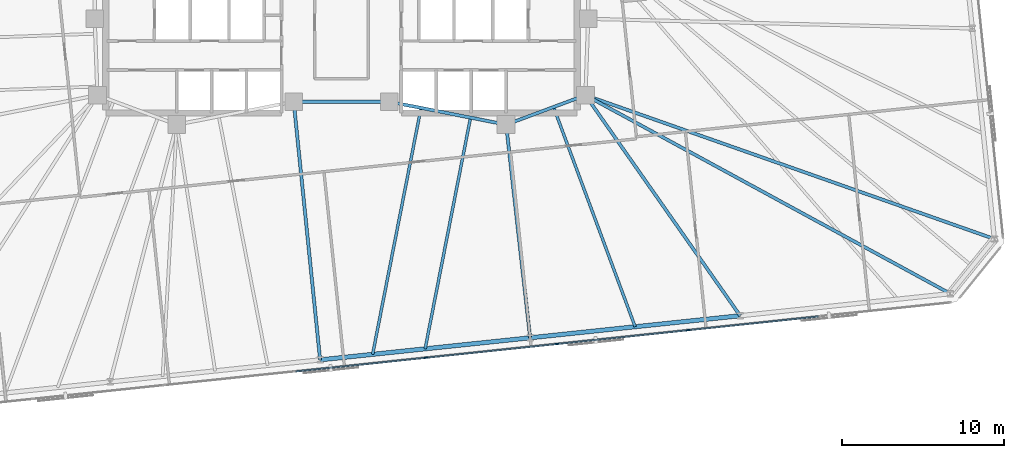
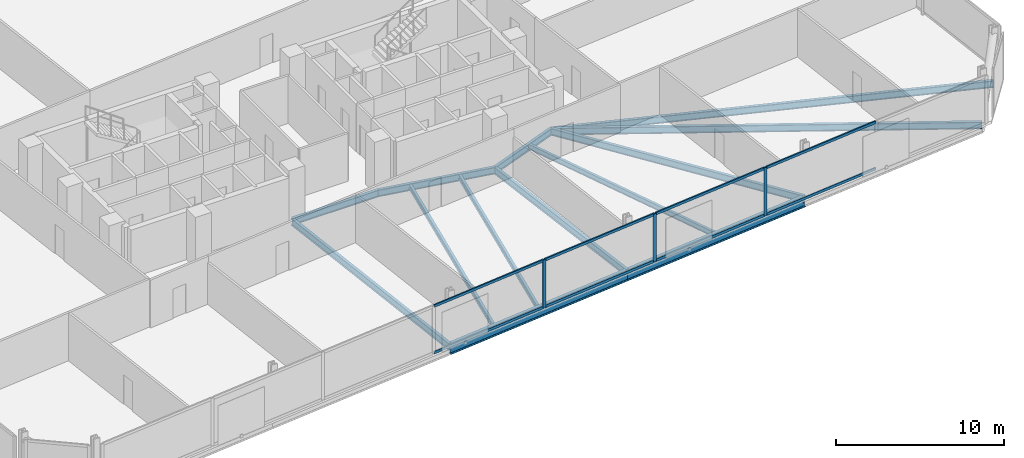
# One storey, part 7 of 18: 13 beams, 11 members, 1 element without a shape of its own.
"""IFC4 building model written with IfcOpenShell, lengths in metres."""

from ifc_helpers import new_model, si_unit, direction, frame, origin, origin_2d, place, context, subcontext, project, spatial, rectangle, i_section, extrude, material, material_profile, profile_set, type_object, element, aggregate, save


model = new_model("IFC4")

# Units and contexts
model_context = context("Model", 3, precision=1e-05, world=origin(), true_north=direction((0.0, 1.0)))
body_context = subcontext(model_context, "Body", "Model", "MODEL_VIEW")
ifc_project = project(units=[si_unit("LENGTHUNIT", "METRE"), si_unit("AREAUNIT", "SQUARE_METRE"), si_unit("VOLUMEUNIT", "CUBIC_METRE"), si_unit("PLANEANGLEUNIT", "RADIAN"), si_unit("MASSUNIT", "GRAM", prefix="KILO")], contexts=[model_context])

# Site, building, storey
site_placement = place(None, origin())
site = spatial("IfcSite", under=ifc_project, at=site_placement, CompositionType="ELEMENT")
building_placement = place(site_placement, origin())
building = spatial("IfcBuilding", under=site, at=building_placement, Name="Menara Jurai Vektor", CompositionType="ELEMENT")
storey_placement = place(building_placement, frame((0.0, 0.0, 102.199951171875)))
storey = spatial("IfcBuildingStorey", under=building, at=storey_placement, Name="L25", CompositionType="ELEMENT", Elevation=102.199951171875)

# Curtain wall, members
ifc_material_1 = material(Name="Anodised Pale Aluminium & Low-E Double Glazing", Category="aluminium")
curtain_wall_type = type_object("IfcCurtainWallType", Name="CW-BLK2", PredefinedType="NOTDEFINED", material=ifc_material_1)
curtain_wall_placement = place(storey_placement, origin())
curtain_wall = element("IfcCurtainWall", 1, at=curtain_wall_placement, inside=storey, type_object=curtain_wall_type, Name="Unitised Curtain Wall L25 F01", PredefinedType="NOTDEFINED")
ifc_material_2 = material(Name="Anodised Pale Aluminium Mullion", Category="aluminium")
ifc_material_profile_1 = material_profile(ifc_material_2, rectangle(XDim=0.090087890625, YDim=0.219970703125, at=origin_2d()), Name="ALU MUL 90x220")
ifc_profile_set_1 = profile_set([ifc_material_profile_1], Name="Anodised Pale Aluminium Mullion")
member_type_1 = type_object("IfcMemberType", Name="CW-BLK2-MUL", PredefinedType="MULLION", material=ifc_profile_set_1)
member_1_placement = place(storey_placement, frame((5.230224609375, -20.72265625, 0.0), z_axis=(0.0, 0.0, 1.0), x_axis=(-0.104528634935, 0.994521877325, 0.0)))
member_1 = element("IfcMember", 2, at=member_1_placement, type_object=member_type_1, Name="CW-02 mullion 5", PredefinedType="MULLION", context=body_context, shape_type="SweptSolid", body=[
    extrude(rectangle(XDim=0.090087890625, YDim=0.219970703125, at=origin_2d()), origin(), (0.0, 0.0, 1.0), 3.47509765625),
])
member_2_placement = place(storey_placement, frame((13.328125, -19.87158203125, 0.0), z_axis=(0.0, 0.0, 1.0), x_axis=(-0.104528634935, 0.994521877325, 0.0)))
member_2 = element("IfcMember", 3, at=member_2_placement, type_object=member_type_1, Name="CW-02 mullion 6", PredefinedType="MULLION", context=body_context, shape_type="SweptSolid", body=[
    extrude(rectangle(XDim=0.090087890625, YDim=0.219970703125, at=origin_2d()), origin(), (0.0, 0.0, 1.0), 3.47509765625),
])
member_3_placement = place(storey_placement, frame((21.426025390625, -19.020263671875, 0.0), z_axis=(0.0, 0.0, 1.0), x_axis=(-0.104528634935, 0.994521877325, 0.0)))
member_3 = element("IfcMember", 4, at=member_3_placement, type_object=member_type_1, Name="CW-02 mullion 7", PredefinedType="MULLION", context=body_context, shape_type="SweptSolid", body=[
    extrude(rectangle(XDim=0.090087890625, YDim=0.219970703125, at=origin_2d()), origin(), (0.0, 0.0, 1.0), 3.47509765625),
])
ifc_material_3 = material(Name="Anodised Pale Aluminium Transom", Category="aluminium")
ifc_material_profile_2 = material_profile(ifc_material_3, rectangle(XDim=0.090087890625, YDim=0.18505859375, at=origin_2d()), Name="ALU TRN 90x185")
ifc_profile_set_2 = profile_set([ifc_material_profile_2], Name="Anodised Pale Aluminium Transom")
member_type_2 = type_object("IfcMemberType", Name="CW-BLK2-TRN", PredefinedType="USERDEFINED", material=ifc_profile_set_2)
member_4_placement = place(storey_placement, frame((-2.82275390625, -21.569091796875, 0.045166015625), z_axis=(0.994520726373, 0.10453958492, 0.0), x_axis=(-0.10453958492, 0.994520726373, 0.0)))
member_4 = element("IfcMember", 5, at=member_4_placement, type_object=member_type_2, Name="CW-02 transom 4.1", ObjectType="TRANSOM", PredefinedType="USERDEFINED", context=body_context, shape_type="SweptSolid", body=[
    extrude(rectangle(XDim=0.090087890625, YDim=0.18505859375, at=origin_2d()), origin(), (0.0, 0.0, 1.0), 8.052490234375),
])
member_5_placement = place(storey_placement, frame((-2.82275390625, -21.569091796875, 3.429931640625), z_axis=(0.994520726373, 0.10453958492, 0.0), x_axis=(-0.10453958492, 0.994520726373, 0.0)))
member_5 = element("IfcMember", 6, at=member_5_placement, type_object=member_type_2, Name="CW-02 transom 4.2", ObjectType="TRANSOM", PredefinedType="USERDEFINED", context=body_context, shape_type="SweptSolid", body=[
    extrude(rectangle(XDim=0.090087890625, YDim=0.18505859375, at=origin_2d()), origin(), (0.0, 0.0, 1.0), 8.052490234375),
])
member_6_placement = place(storey_placement, frame((5.275146484375, -20.718017578125, 0.045166015625), z_axis=(0.994520726373, 0.10453958492, 0.0), x_axis=(-0.10453958492, 0.994520726373, 0.0)))
member_6 = element("IfcMember", 7, at=member_6_placement, type_object=member_type_2, Name="CW-02 transom 5.1", ObjectType="TRANSOM", PredefinedType="USERDEFINED", context=body_context, shape_type="SweptSolid", body=[
    extrude(rectangle(XDim=0.090087890625, YDim=0.18505859375, at=origin_2d()), origin(), (0.0, 0.0, 1.0), 8.052490234375),
])
member_7_placement = place(storey_placement, frame((5.275146484375, -20.718017578125, 3.429931640625), z_axis=(0.994520726373, 0.10453958492, 0.0), x_axis=(-0.10453958492, 0.994520726373, 0.0)))
member_7 = element("IfcMember", 8, at=member_7_placement, type_object=member_type_2, Name="CW-02 transom 5.2", ObjectType="TRANSOM", PredefinedType="USERDEFINED", context=body_context, shape_type="SweptSolid", body=[
    extrude(rectangle(XDim=0.090087890625, YDim=0.18505859375, at=origin_2d()), origin(), (0.0, 0.0, 1.0), 8.052490234375),
])
member_8_placement = place(storey_placement, frame((13.373046875, -19.86669921875, 0.045166015625), z_axis=(0.99452387809, 0.104509597213, 0.0), x_axis=(-0.104509597213, 0.99452387809, 0.0)))
member_8 = element("IfcMember", 9, at=member_8_placement, type_object=member_type_2, Name="CW-02 transom 6.1", ObjectType="TRANSOM", PredefinedType="USERDEFINED", context=body_context, shape_type="SweptSolid", body=[
    extrude(rectangle(XDim=0.090087890625, YDim=0.18505859375, at=origin_2d()), origin(), (0.0, 0.0, 1.0), 8.052490234375),
])
member_9_placement = place(storey_placement, frame((13.373046875, -19.86669921875, 3.429931640625), z_axis=(0.99452387809, 0.104509597213, 0.0), x_axis=(-0.104509597213, 0.99452387809, 0.0)))
member_9 = element("IfcMember", 10, at=member_9_placement, type_object=member_type_2, Name="CW-02 transom 6.2", ObjectType="TRANSOM", PredefinedType="USERDEFINED", context=body_context, shape_type="SweptSolid", body=[
    extrude(rectangle(XDim=0.090087890625, YDim=0.18505859375, at=origin_2d()), origin(), (0.0, 0.0, 1.0), 8.052490234375),
])
member_10_placement = place(storey_placement, frame((21.470947265625, -19.015625, 0.045166015625), z_axis=(0.994520726373, 0.10453958492, 0.0), x_axis=(-0.10453958492, 0.994520726373, 0.0)))
member_10 = element("IfcMember", 11, at=member_10_placement, type_object=member_type_2, Name="CW-02 transom 7.1", ObjectType="TRANSOM", PredefinedType="USERDEFINED", context=body_context, shape_type="SweptSolid", body=[
    extrude(rectangle(XDim=0.090087890625, YDim=0.18505859375, at=origin_2d()), origin(), (0.0, 0.0, 1.0), 8.052490234375),
])
member_11_placement = place(storey_placement, frame((21.470947265625, -19.015625, 3.429931640625), z_axis=(0.994520726373, 0.10453958492, 0.0), x_axis=(-0.10453958492, 0.994520726373, 0.0)))
member_11 = element("IfcMember", 12, at=member_11_placement, type_object=member_type_2, Name="CW-02 transom 7.2", ObjectType="TRANSOM", PredefinedType="USERDEFINED", context=body_context, shape_type="SweptSolid", body=[
    extrude(rectangle(XDim=0.090087890625, YDim=0.18505859375, at=origin_2d()), origin(), (0.0, 0.0, 1.0), 8.052490234375),
])
aggregate(curtain_wall, [member_1, member_2, member_3, member_4, member_5, member_6, member_7, member_8, member_9, member_10, member_11])

# Beams
ifc_material_4 = material(Name="Steel S355", Category="steel")
ifc_material_profile_3 = material_profile(ifc_material_4, i_section(OverallWidth=0.199951171875, OverallDepth=0.5, WebThickness=0.011962890625, FlangeThickness=0.02001953125, at=origin_2d()), Name="PG 500x200x96")
ifc_profile_set_3 = profile_set([ifc_material_profile_3], Name="Steel S355")
beam_type_1 = type_object("IfcBeamType", Name="STR-BM-500", PredefinedType="BEAM", material=ifc_profile_set_3)
beam_1_placement = place(storey_placement, frame((10.179931640625, -6.320068359375, -0.474853515625), z_axis=(0.937424400887, 0.348188874925, 0.0), x_axis=(-0.348188874925, 0.937424400887, 0.0)))
element("IfcBeam", 13, at=beam_1_placement, inside=storey, type_object=beam_type_1, Name="Core Ring Header Girder L25-CHE-S1", PredefinedType="BEAM", context=body_context, shape_type="SweptSolid", body=[
    extrude(i_section(OverallWidth=0.199951171875, OverallDepth=0.5, WebThickness=0.011962890625, FlangeThickness=0.02001953125, at=origin_2d()), origin(), (0.0, 0.0, 1.0), 5.227294921875),
])
beam_2_placement = place(storey_placement, frame((2.949951171875, -4.89990234375, -0.474853515625), z_axis=(0.981249044334, -0.192744164614, 0.0), x_axis=(0.192744164614, 0.981249044334, 0.0)))
element("IfcBeam", 14, at=beam_2_placement, inside=storey, type_object=beam_type_1, Name="Core Ring Header Girder L25-CHE-S2", PredefinedType="BEAM", context=body_context, shape_type="SweptSolid", body=[
    extrude(i_section(OverallWidth=0.199951171875, OverallDepth=0.5, WebThickness=0.011962890625, FlangeThickness=0.02001953125, at=origin_2d()), origin(), (0.0, 0.0, 1.0), 7.3681640625),
])
beam_3_placement = place(storey_placement, frame((-2.949951171875, -4.89990234375, -0.474853515625), z_axis=(1.0, 0.0, 0.0), x_axis=(0.0, 1.0, 0.0)))
element("IfcBeam", 15, at=beam_3_placement, inside=storey, type_object=beam_type_1, Name="Core Ring Header Girder L25-CC-1", PredefinedType="BEAM", context=body_context, shape_type="SweptSolid", body=[
    extrude(i_section(OverallWidth=0.199951171875, OverallDepth=0.5, WebThickness=0.011962890625, FlangeThickness=0.02001953125, at=origin_2d()), origin(), (0.0, 0.0, 1.0), 5.89990234375),
])
beam_4_placement = place(storey_placement, frame((-1.31689453125, -20.85791015625, -0.474853515625), z_axis=(-0.101802947506, 0.994804583765, 0.0), x_axis=(-0.994804583765, -0.101802947506, 0.0)))
element("IfcBeam", 16, at=beam_4_placement, inside=storey, type_object=beam_type_1, Name="Radial Floor Girder L25-S3", PredefinedType="BEAM", context=body_context, shape_type="SweptSolid", body=[
    extrude(i_section(OverallWidth=0.199951171875, OverallDepth=0.5, WebThickness=0.011962890625, FlangeThickness=0.02001953125, at=origin_2d()), origin(), (0.0, 0.0, 1.0), 16.041259765625),
])
beam_5_placement = place(storey_placement, frame((11.66259765625, -19.493408203125, -0.474853515625), z_axis=(-0.111844331087, 0.99372573963, 0.0), x_axis=(-0.99372573963, -0.111844331087, 0.0)))
element("IfcBeam", 17, at=beam_5_placement, inside=storey, type_object=beam_type_1, Name="Radial Floor Girder L25-S4", PredefinedType="BEAM", context=body_context, shape_type="SweptSolid", body=[
    extrude(i_section(OverallWidth=0.199951171875, OverallDepth=0.5, WebThickness=0.011962890625, FlangeThickness=0.02001953125, at=origin_2d()), origin(), (0.0, 0.0, 1.0), 13.256591796875),
])
beam_6_placement = place(storey_placement, frame((24.64208984375, -18.12939453125, -0.474853515625), z_axis=(-0.574326112611, 0.818626603754, 0.0), x_axis=(-0.818626603754, -0.574326112611, 0.0)))
element("IfcBeam", 18, at=beam_6_placement, inside=storey, type_object=beam_type_1, Name="Radial Floor Girder L25-S5", PredefinedType="BEAM", context=body_context, shape_type="SweptSolid", body=[
    extrude(i_section(OverallWidth=0.199951171875, OverallDepth=0.5, WebThickness=0.011962890625, FlangeThickness=0.02001953125, at=origin_2d()), origin(), (0.0, 0.0, 1.0), 16.649169921875),
])
beam_7_placement = place(storey_placement, frame((37.621826171875, -16.76513671875, -0.474853515625), z_axis=(-0.878392468416, 0.477940029115, 0.0), x_axis=(-0.477940029115, -0.878392468416, 0.0)))
element("IfcBeam", 19, at=beam_7_placement, inside=storey, type_object=beam_type_1, Name="Radial Floor Girder L25-S6", PredefinedType="BEAM", context=body_context, shape_type="SweptSolid", body=[
    extrude(i_section(OverallWidth=0.199951171875, OverallDepth=0.5, WebThickness=0.011962890625, FlangeThickness=0.02001953125, at=origin_2d()), origin(), (0.0, 0.0, 1.0), 25.66259765625),
])
beam_8_placement = place(storey_placement, frame((40.356201171875, -13.388671875, -0.474853515625), z_axis=(-0.943368219745, 0.331747497315, 0.0), x_axis=(-0.331747497315, -0.943368219745, 0.0)))
element("IfcBeam", 20, at=beam_8_placement, inside=storey, type_object=beam_type_1, Name="Radial Floor Girder L25-E1", PredefinedType="BEAM", context=body_context, shape_type="SweptSolid", body=[
    extrude(i_section(OverallWidth=0.199951171875, OverallDepth=0.5, WebThickness=0.011962890625, FlangeThickness=0.02001953125, at=origin_2d()), origin(), (0.0, 0.0, 1.0), 26.79345703125),
])
ifc_material_profile_4 = material_profile(ifc_material_4, i_section(OverallWidth=0.175048828125, OverallDepth=0.3798828125, WebThickness=0.010009765625, FlangeThickness=0.014892578125, at=origin_2d()), Name="PG 380x175x58")
ifc_profile_set_4 = profile_set([ifc_material_profile_4], Name="Steel S355")
beam_type_2 = type_object("IfcBeamType", Name="STR-JS-380", PredefinedType="JOIST", material=ifc_profile_set_4)
beam_9_placement = place(storey_placement, frame((1.927978515625, -20.5166015625, -0.4150390625), z_axis=(0.192720963177, 0.981253601447, 0.0), x_axis=(-0.981253601447, 0.192720963177, 0.0)))
element("IfcBeam", 21, at=beam_9_placement, inside=storey, type_object=beam_type_2, Name="Radial Secondary Floor Joist L25-JS06", PredefinedType="JOIST", context=body_context, shape_type="SweptSolid", body=[
    extrude(i_section(OverallWidth=0.175048828125, OverallDepth=0.3798828125, WebThickness=0.010009765625, FlangeThickness=0.014892578125, at=origin_2d()), origin(), (0.0, 0.0, 1.0), 15.52099609375),
])
beam_10_placement = place(storey_placement, frame((5.1728515625, -20.175537109375, -0.4150390625), z_axis=(0.192719646422, 0.98125386006, 0.0), x_axis=(-0.98125386006, 0.192719646422, 0.0)))
element("IfcBeam", 22, at=beam_10_placement, inside=storey, type_object=beam_type_2, Name="Radial Secondary Floor Joist L25-JS07", PredefinedType="JOIST", context=body_context, shape_type="SweptSolid", body=[
    extrude(i_section(OverallWidth=0.175048828125, OverallDepth=0.3798828125, WebThickness=0.010009765625, FlangeThickness=0.014892578125, at=origin_2d()), origin(), (0.0, 0.0, 1.0), 14.560791015625),
])
beam_11_placement = place(storey_placement, frame((18.15234375, -18.811279296875, -0.4150390625), z_axis=(-0.348188645432, 0.937424486128, 0.0), x_axis=(-0.937424486128, -0.348188645432, 0.0)))
element("IfcBeam", 23, at=beam_11_placement, inside=storey, type_object=beam_type_2, Name="Radial Secondary Floor Joist L25-JS08", PredefinedType="JOIST", context=body_context, shape_type="SweptSolid", body=[
    extrude(i_section(OverallWidth=0.175048828125, OverallDepth=0.3798828125, WebThickness=0.010009765625, FlangeThickness=0.014892578125, at=origin_2d()), origin(), (0.0, 0.0, 1.0), 14.485595703125),
])
ifc_material_5 = material(Name="Steel S460", Category="steel")
ifc_material_profile_5 = material_profile(ifc_material_5, i_section(OverallWidth=0.26806640625, OverallDepth=0.77001953125, WebThickness=0.01611328125, FlangeThickness=0.02490234375, FilletRadius=0.01708984375, at=origin_2d()), Name="UKB 762x267x197")
ifc_profile_set_5 = profile_set([ifc_material_profile_5], Name="Steel S460")
beam_type_3 = type_object("IfcBeamType", Name="STR-SP-762", PredefinedType="SPANDREL", material=ifc_profile_set_5)
for number, where, z_axis, x_axis, name in (
    (24, (-1.31689453125, -20.85791015625, -0.60986328125), (0.994519486762, 0.104551377088, 0.0), (-0.104551377088, 0.994519486762, 0.0), "Exoskeleton Spandrel Beam L25-03"),
    (25, (11.66259765625, -19.493408203125, -0.60986328125), (0.99452337626, 0.104514372567, 0.0), (-0.104514372567, 0.99452337626, 0.0), "Exoskeleton Spandrel Beam L25-04"),
):
    element("IfcBeam", number, at=place(storey_placement, frame(where, z_axis=z_axis, x_axis=x_axis)), inside=storey, type_object=beam_type_3, Name=name, PredefinedType="SPANDREL", context=body_context, shape_type="SweptSolid", body=[
        extrude(i_section(OverallWidth=0.26806640625, OverallDepth=0.77001953125, WebThickness=0.01611328125, FlangeThickness=0.02490234375, FilletRadius=0.01708984375, at=origin_2d()), origin(), (0.0, 0.0, 1.0), 13.051025390625),
    ])

save(model, "model.ifc")
